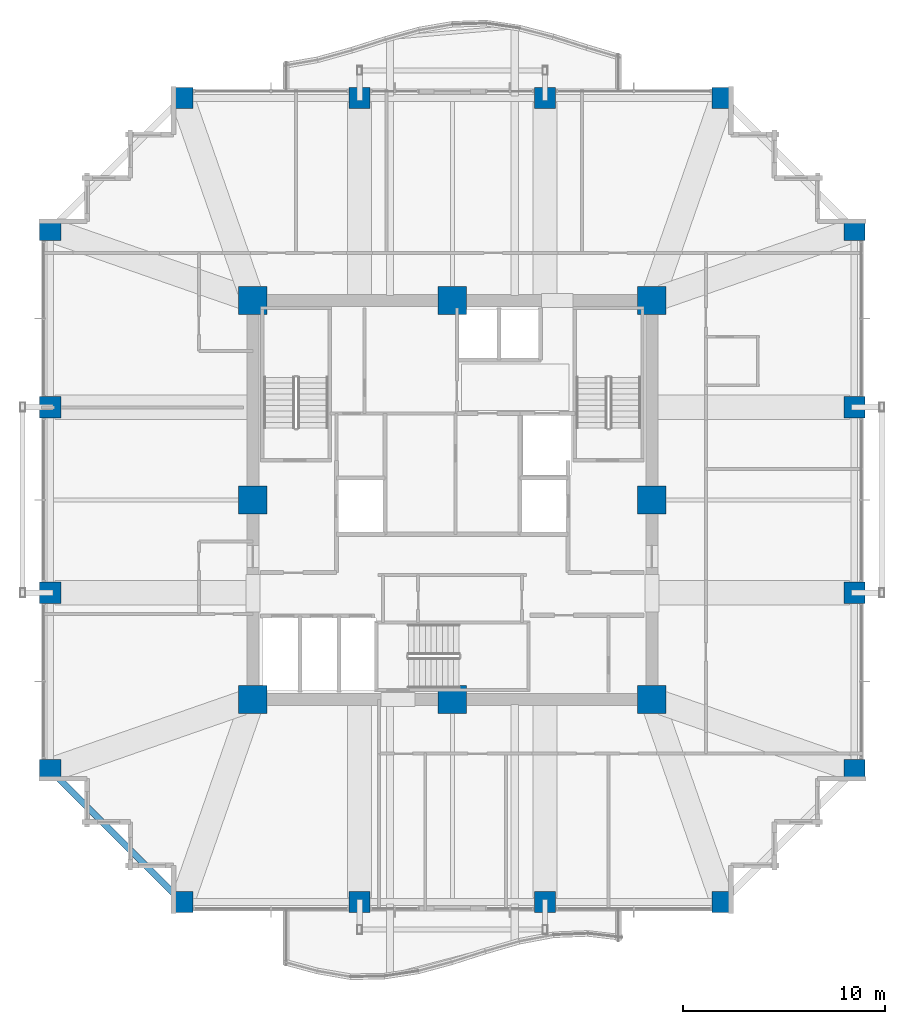
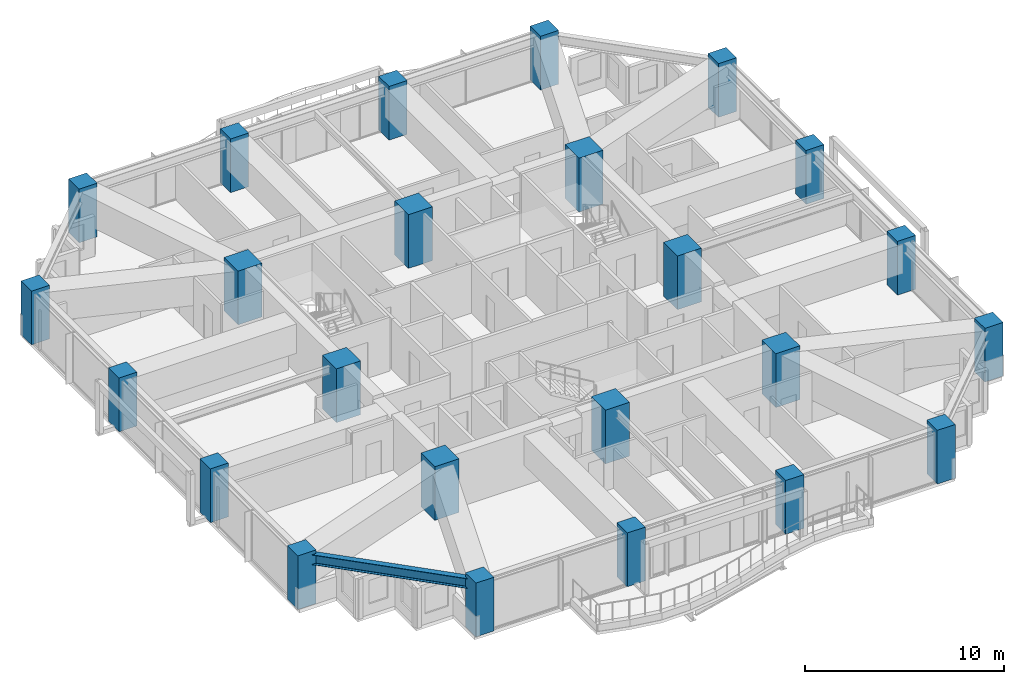
# One storey, part 1 of 39: 24 columns, 1 beam.
"""IFC4 building model written with IfcOpenShell, lengths in metres."""

from ifc_helpers import new_model, si_unit, direction, frame, origin, origin_2d, place, context, subcontext, project, spatial, rectangle, i_section, extrude, material, material_profile, profile_set, type_object, element, save


model = new_model("IFC4")

# Units and contexts
model_context = context("Model", 3, precision=1e-05, world=origin(), true_north=direction((0.0, 1.0)))
body_context = subcontext(model_context, "Body", "Model", "MODEL_VIEW")
ifc_project = project(units=[si_unit("LENGTHUNIT", "METRE"), si_unit("AREAUNIT", "SQUARE_METRE"), si_unit("VOLUMEUNIT", "CUBIC_METRE"), si_unit("PLANEANGLEUNIT", "RADIAN"), si_unit("MASSUNIT", "GRAM", prefix="KILO")], contexts=[model_context])

# Site, building, storey
site_placement = place(None, origin())
site = spatial("IfcSite", under=ifc_project, at=site_placement, CompositionType="ELEMENT")
building_placement = place(site_placement, origin())
building = spatial("IfcBuilding", under=site, at=building_placement, Name="Kolvaren Belvedere", CompositionType="ELEMENT")
storey_placement = place(building_placement, frame((0.0, 0.0, 85.39990234375)))
storey = spatial("IfcBuildingStorey", under=building, at=storey_placement, Name="L24", CompositionType="ELEMENT", Elevation=85.39990234375)

# Columns
ifc_material_1 = material(Name="Concrete C50/60", Category="concrete")
ifc_material_profile_1 = material_profile(ifc_material_1, rectangle(XDim=1.050048828125, YDim=1.050048828125, at=origin_2d()), Name="RC 1050X1050")
ifc_profile_set_1 = profile_set([ifc_material_profile_1], Name="Concrete C50/60")
column_type_1 = type_object("IfcColumnType", Name="COL-RC-1050", PredefinedType="COLUMN", material=ifc_profile_set_1)
for number, where, z_axis, x_axis, name in (
    (1, (-13.39990234375, -19.949951171875, 0.0), (0.0, 0.0, 1.0), (1.0, 0.0, 0.0), "L24 Perimeter Column S1"),
    (2, (-4.60009765625, -19.949951171875, 0.0), (0.0, 0.0, 1.0), (1.0, 0.0, 0.0), "L24 Perimeter Column S2"),
    (3, (4.60009765625, -19.949951171875, 0.0), (0.0, 0.0, 1.0), (1.0, 0.0, 0.0), "L24 Perimeter Column S3"),
    (4, (13.39990234375, -19.949951171875, 0.0), (0.0, 0.0, 1.0), (1.0, 0.0, 0.0), "L24 Perimeter Column S4"),
    (5, (-13.39990234375, 19.949951171875, 0.0), (0.0, 0.0, 1.0), (1.0, 0.0, 0.0), "L24 Perimeter Column N1"),
    (6, (-4.60009765625, 19.949951171875, 0.0), (0.0, 0.0, 1.0), (1.0, 0.0, 0.0), "L24 Perimeter Column N2"),
    (7, (4.60009765625, 19.949951171875, 0.0), (0.0, 0.0, 1.0), (1.0, 0.0, 0.0), "L24 Perimeter Column N3"),
    (8, (13.39990234375, 19.949951171875, 0.0), (0.0, 0.0, 1.0), (1.0, 0.0, 0.0), "L24 Perimeter Column N4"),
    (9, (-19.949951171875, -13.39990234375, 0.0), (0.0, 0.0, 1.0), (1.0, 0.0, 0.0), "L24 Perimeter Column W1"),
    (10, (-19.949951171875, -4.60009765625, 0.0), (0.0, 0.0, 1.0), (1.0, 0.0, 0.0), "L24 Perimeter Column W2"),
    (11, (-19.949951171875, 4.60009765625, 0.0), (0.0, 0.0, 1.0), (1.0, 0.0, 0.0), "L24 Perimeter Column W3"),
    (12, (-19.949951171875, 13.39990234375, 0.0), (0.0, 0.0, 1.0), (1.0, 0.0, 0.0), "L24 Perimeter Column W4"),
    (13, (19.949951171875, -13.39990234375, 0.0), (0.0, 0.0, 1.0), (1.0, 0.0, 0.0), "L24 Perimeter Column E1"),
    (14, (19.949951171875, -4.60009765625, 0.0), (0.0, 0.0, 1.0), (1.0, 0.0, 0.0), "L24 Perimeter Column E2"),
    (15, (19.949951171875, 4.60009765625, 0.0), (0.0, 0.0, 1.0), (1.0, 0.0, 0.0), "L24 Perimeter Column E3"),
    (16, (19.949951171875, 13.39990234375, 0.0), (0.0, 0.0, 1.0), (1.0, 0.0, 0.0), "L24 Perimeter Column E4"),
):
    element("IfcColumn", number, at=place(storey_placement, frame(where, z_axis=z_axis, x_axis=x_axis)), inside=storey, type_object=column_type_1, Name=name, PredefinedType="COLUMN", context=body_context, shape_type="SweptSolid", body=[
        extrude(rectangle(XDim=1.050048828125, YDim=1.050048828125, at=origin_2d()), origin(), (0.0, 0.0, 1.0), 3.300048828125),
    ])
ifc_material_2 = material(Name="Concrete C60/75", Category="concrete")
ifc_material_profile_2 = material_profile(ifc_material_2, rectangle(XDim=1.39990234375, YDim=1.39990234375, at=origin_2d()), Name="RC 1400X1400")
ifc_profile_set_2 = profile_set([ifc_material_profile_2], Name="Concrete C60/75")
column_type_2 = type_object("IfcColumnType", Name="COL-RC-1400", PredefinedType="COLUMN", material=ifc_profile_set_2)
for number, where, z_axis, x_axis, name in (
    (17, (-9.89990234375, -9.89990234375, 0.0), (0.0, 0.0, 1.0), (1.0, 0.0, 0.0), "L24 Core Column CC1"),
    (18, (9.89990234375, -9.89990234375, 0.0), (0.0, 0.0, 1.0), (1.0, 0.0, 0.0), "L24 Core Column CC2"),
    (19, (9.89990234375, 9.89990234375, 0.0), (0.0, 0.0, 1.0), (1.0, 0.0, 0.0), "L24 Core Column CC3"),
    (20, (-9.89990234375, 9.89990234375, 0.0), (0.0, 0.0, 1.0), (1.0, 0.0, 0.0), "L24 Core Column CC4"),
    (21, (0.0, -9.89990234375, 0.0), (0.0, 0.0, 1.0), (1.0, 0.0, 0.0), "L24 Core Column CM1"),
    (22, (9.89990234375, 0.0, 0.0), (0.0, 0.0, 1.0), (1.0, 0.0, 0.0), "L24 Core Column CM2"),
    (23, (0.0, 9.89990234375, 0.0), (0.0, 0.0, 1.0), (1.0, 0.0, 0.0), "L24 Core Column CM3"),
    (24, (-9.89990234375, 0.0, 0.0), (0.0, 0.0, 1.0), (1.0, 0.0, 0.0), "L24 Core Column CM4"),
):
    element("IfcColumn", number, at=place(storey_placement, frame(where, z_axis=z_axis, x_axis=x_axis)), inside=storey, type_object=column_type_2, Name=name, PredefinedType="COLUMN", context=body_context, shape_type="SweptSolid", body=[
        extrude(rectangle(XDim=1.39990234375, YDim=1.39990234375, at=origin_2d()), origin(), (0.0, 0.0, 1.0), 3.300048828125),
    ])

# Beam
ifc_material_3 = material(Name="Structural steel ASTM A992 Grade 50", Category="steel")
ifc_material_profile_3 = material_profile(ifc_material_3, i_section(OverallWidth=0.324951171875, OverallDepth=0.615966796875, WebThickness=0.013916015625, FlangeThickness=0.021484375, FilletRadius=0.02001953125, at=origin_2d()), Name="W24X117")
ifc_profile_set_3 = profile_set([ifc_material_profile_3], Name="Structural steel ASTM A992 Grade 50")
beam_type = type_object("IfcBeamType", Name="BM-SPAN-W24X117", PredefinedType="SPANDREL", material=ifc_profile_set_3)
beam_placement = place(storey_placement, frame((-19.782958984375, -13.567138671875, 2.772216796875), z_axis=(0.707106781187, -0.707106781187, 0.0), x_axis=(0.707106781187, 0.707106781187, 0.0)))
element("IfcBeam", 25, at=beam_placement, inside=storey, type_object=beam_type, Name="L24 Perimeter Spandrel W1-S1", PredefinedType="SPANDREL", context=body_context, shape_type="SweptSolid", body=[
    extrude(i_section(OverallWidth=0.324951171875, OverallDepth=0.615966796875, WebThickness=0.013916015625, FlangeThickness=0.021484375, FilletRadius=0.02001953125, at=origin_2d()), origin(), (0.0, 0.0, 1.0), 8.79052734375),
])

save(model, "model.ifc")
